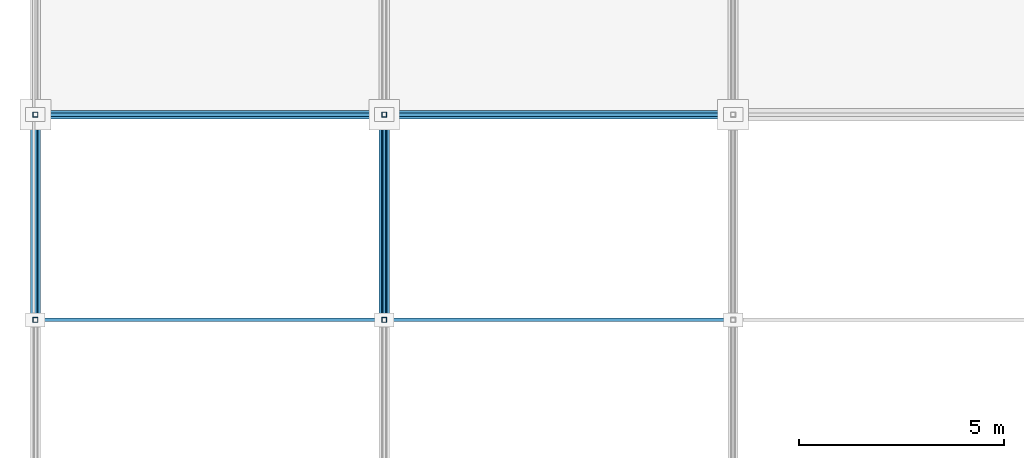
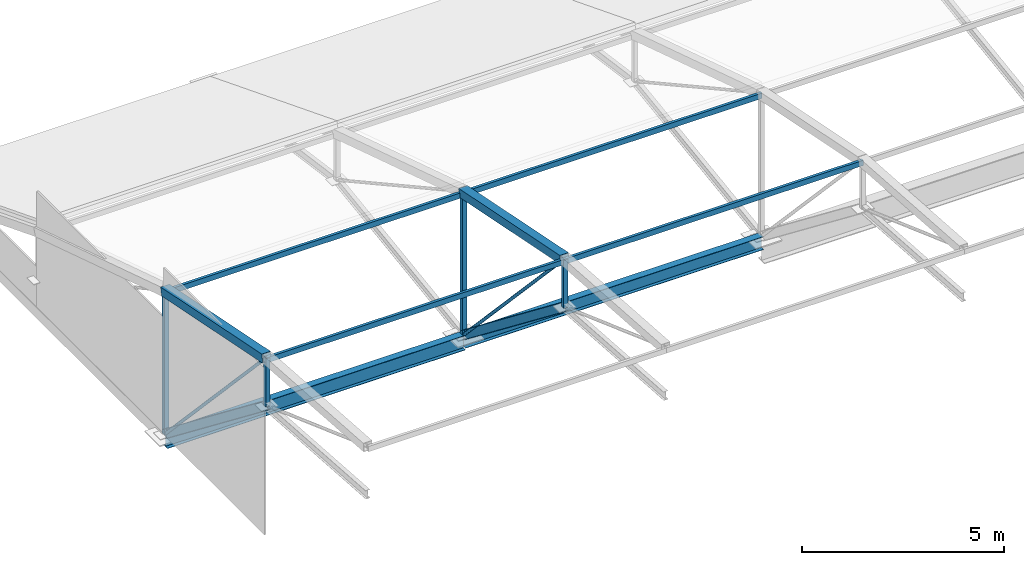
# One storey, part 31 of 66: 14 members, 2 beams.
"""IFC4 building model written with IfcOpenShell, lengths in metres."""

from ifc_helpers import new_model, si_unit, direction, frame, origin, origin_2d, place, context, subcontext, project, spatial, hollow_rectangle, hollow_circle, i_section, extrude, material, material_profile, profile_set, type_object, element, save


model = new_model("IFC4")

# Units and contexts
model_context = context("Model", 3, precision=1e-05, world=origin(), true_north=direction((0.0, 1.0)))
body_context = subcontext(model_context, "Body", "Model", "MODEL_VIEW")
ifc_project = project(units=[si_unit("LENGTHUNIT", "METRE"), si_unit("AREAUNIT", "SQUARE_METRE"), si_unit("VOLUMEUNIT", "CUBIC_METRE"), si_unit("PLANEANGLEUNIT", "RADIAN"), si_unit("MASSUNIT", "GRAM", prefix="KILO")], contexts=[model_context])

# Site, building, storey
site_placement = place(None, origin())
site = spatial("IfcSite", under=ifc_project, at=site_placement, CompositionType="ELEMENT")
building_placement = place(site_placement, origin())
building = spatial("IfcBuilding", under=site, at=building_placement, Name="Solvikara Media Centre", CompositionType="ELEMENT")
storey_placement = place(building_placement, frame((0.0, 0.0, 19.800048828125)))
storey = spatial("IfcBuildingStorey", under=building, at=storey_placement, Name="L04", CompositionType="ELEMENT", Elevation=19.800048828125)

# Beams
ifc_material = material(Name="Steel S355JR", Category="steel")
ifc_material_profile_1 = material_profile(ifc_material, i_section(OverallWidth=0.198974609375, OverallDepth=0.446044921875, WebThickness=0.008056640625, FlangeThickness=0.011962890625, at=origin_2d()), Name="H 446x199x8x12")
ifc_profile_set_1 = profile_set([ifc_material_profile_1], Name="Steel S355JR")
beam_type_1 = type_object("IfcBeamType", Name="BM-43", PredefinedType="BEAM", material=ifc_profile_set_1)
beam_1_placement = place(storey_placement, frame((0.0, 101.5, -0.322998046875), z_axis=(1.0, 0.0, 0.0), x_axis=(0.0, 1.0, 0.0)))
element("IfcBeam", 1, at=beam_1_placement, inside=storey, type_object=beam_type_1, Name="B-L04-X1483", PredefinedType="BEAM", context=body_context, shape_type="SweptSolid", body=[
    extrude(i_section(OverallWidth=0.198974609375, OverallDepth=0.446044921875, WebThickness=0.008056640625, FlangeThickness=0.011962890625, at=origin_2d()), origin(), (0.0, 0.0, 1.0), 8.5),
])
ifc_material_profile_2 = material_profile(ifc_material, i_section(OverallWidth=0.198974609375, OverallDepth=0.39599609375, WebThickness=0.007080078125, FlangeThickness=0.010986328125, at=origin_2d()), Name="H 396x199x7x11")
ifc_profile_set_2 = profile_set([ifc_material_profile_2], Name="Steel S355JR")
beam_type_2 = type_object("IfcBeamType", Name="BM-44", PredefinedType="BEAM", material=ifc_profile_set_2)
beam_2_placement = place(storey_placement, frame((8.5, 101.5, -0.298095703125), z_axis=(1.0, 0.0, 0.0), x_axis=(0.0, 1.0, 0.0)))
element("IfcBeam", 2, at=beam_2_placement, inside=storey, type_object=beam_type_2, Name="B-L04-X1484", PredefinedType="BEAM", context=body_context, shape_type="SweptSolid", body=[
    extrude(i_section(OverallWidth=0.198974609375, OverallDepth=0.39599609375, WebThickness=0.007080078125, FlangeThickness=0.010986328125, at=origin_2d()), origin(), (0.0, 0.0, 1.0), 8.5),
])

# Members
ifc_material_profile_3 = material_profile(ifc_material, hollow_circle(Radius=0.04443359375, WallThickness=0.0048828125, at=origin_2d()), Name="CHS 88.9x5")
ifc_profile_set_3 = profile_set([ifc_material_profile_3], Name="Steel S355JR")
member_type_1 = type_object("IfcMemberType", Name="MB-10", PredefinedType="BRACE", material=ifc_profile_set_3)
for number, where, z_axis, x_axis, name in (
    (3, (0.0, 101.5, -0.150146484375), (0.0, -0.68381339208, 0.729656936383), (1.0, 0.0, 0.0), "AM-DG-00-02"),
    (4, (8.5, 101.5, -0.150146484375), (0.0, -0.68381339208, 0.729656936383), (1.0, 0.0, 0.0), "AM-DG-01-02"),
):
    element("IfcMember", number, at=place(storey_placement, frame(where, z_axis=z_axis, x_axis=x_axis)), inside=storey, type_object=member_type_1, Name=name, PredefinedType="BRACE", context=body_context, shape_type="SweptSolid", body=[
        extrude(hollow_circle(Radius=0.04443359375, WallThickness=0.0048828125, at=origin_2d()), origin(), (0.0, 0.0, 1.0), 7.31201171875),
    ])
ifc_material_profile_4 = material_profile(ifc_material, hollow_rectangle(XDim=0.25, YDim=0.25, WallThickness=0.010009765625, at=origin_2d()), Name="RHS 250x250x10")
ifc_profile_set_4 = profile_set([ifc_material_profile_4], Name="Steel S355JR")
member_type_2 = type_object("IfcMemberType", Name="MB-12", PredefinedType="CHORD", material=ifc_profile_set_4)
for number, where, z_axis, x_axis, name in (
    (5, (0.0, 101.5, 4.177978515625), (0.0, -0.980312817606, 0.197450701788), (1.0, 0.0, 0.0), "AM-TC-00-02"),
    (6, (8.5, 101.5, 4.177978515625), (0.0, -0.980312817606, 0.197450701788), (1.0, 0.0, 0.0), "AM-TC-01-02"),
):
    element("IfcMember", number, at=place(storey_placement, frame(where, z_axis=z_axis, x_axis=x_axis)), inside=storey, type_object=member_type_2, Name=name, PredefinedType="CHORD", context=body_context, shape_type="SweptSolid", body=[
        extrude(hollow_rectangle(XDim=0.25, YDim=0.25, WallThickness=0.010009765625, at=origin_2d()), origin(), (0.0, 0.0, 1.0), 5.100341796875),
    ])
ifc_material_profile_5 = material_profile(ifc_material, hollow_rectangle(XDim=0.080078125, YDim=0.159912109375, WallThickness=0.0048828125, at=origin_2d()), Name="RHS 160x80x5")
ifc_profile_set_5 = profile_set([ifc_material_profile_5], Name="Steel S355JR")
member_type_3 = type_object("IfcMemberType", Name="MB-19", PredefinedType="PURLIN", material=ifc_profile_set_5)
for number, where, z_axis, x_axis, name in (
    (7, (0.0, 101.5, 4.113037109375), (1.0, 0.0, 0.0), (0.0, 1.0, 0.0), "AM-PRL-00-02"),
    (8, (0.0, 96.5, 5.119873046875), (1.0, 0.0, 0.0), (0.0, 1.0, 0.0), "AM-PRL-00-03"),
    (9, (8.5, 101.5, 4.113037109375), (1.0, 0.0, 0.0), (0.0, 1.0, 0.0), "AM-PRL-01-02"),
    (10, (8.5, 96.5, 5.119873046875), (1.0, 0.0, 0.0), (0.0, 1.0, 0.0), "AM-PRL-01-03"),
):
    element("IfcMember", number, at=place(storey_placement, frame(where, z_axis=z_axis, x_axis=x_axis)), inside=storey, type_object=member_type_3, Name=name, PredefinedType="PURLIN", context=body_context, shape_type="SweptSolid", body=[
        extrude(hollow_rectangle(XDim=0.080078125, YDim=0.159912109375, WallThickness=0.0048828125, at=origin_2d()), origin(), (0.0, 0.0, 1.0), 8.5),
    ])
ifc_material_profile_6 = material_profile(ifc_material, i_section(OverallWidth=0.1240234375, OverallDepth=0.248046875, WebThickness=0.0048828125, FlangeThickness=0.008056640625, at=origin_2d()), Name="WF 248x124x5x8")
ifc_profile_set_6 = profile_set([ifc_material_profile_6], Name="Steel S355JR")
member_type_4 = type_object("IfcMemberType", Name="MB-23", PredefinedType="STRINGER", material=ifc_profile_set_6)
for number, where, z_axis, x_axis, name in (
    (11, (0.0, 101.5, -0.150146484375), (0.0, -0.789649014603, 0.61355882663), (1.0, 0.0, 0.0), "AM-BC-00-02"),
    (12, (8.5, 101.5, -0.150146484375), (0.0, -0.789649014603, 0.61355882663), (1.0, 0.0, 0.0), "AM-BC-01-02"),
):
    element("IfcMember", number, at=place(storey_placement, frame(where, z_axis=z_axis, x_axis=x_axis)), inside=storey, type_object=member_type_4, Name=name, PredefinedType="STRINGER", context=body_context, shape_type="SweptSolid", body=[
        extrude(i_section(OverallWidth=0.1240234375, OverallDepth=0.248046875, WebThickness=0.0048828125, FlangeThickness=0.008056640625, at=origin_2d()), origin(), (0.0, 0.0, 1.0), 6.33203125),
    ])
ifc_material_profile_7 = material_profile(ifc_material, hollow_rectangle(XDim=0.1201171875, YDim=0.1201171875, WallThickness=0.006103515625, at=origin_2d()), Name="RHS 120x120x6")
ifc_profile_set_7 = profile_set([ifc_material_profile_7], Name="Steel S355JR")
member_type_5 = type_object("IfcMemberType", Name="MB-24", PredefinedType="POST", material=ifc_profile_set_7)
member_1_placement = place(storey_placement, frame((0.0, 101.5, -0.150146484375), z_axis=(0.0, 0.0, 1.0), x_axis=(1.0, 0.0, 0.0)))
element("IfcMember", 13, at=member_1_placement, inside=storey, type_object=member_type_5, Name="AM-VT-00-02", PredefinedType="POST", context=body_context, shape_type="SweptSolid", body=[
    extrude(hollow_rectangle(XDim=0.1201171875, YDim=0.1201171875, WallThickness=0.006103515625, at=origin_2d()), origin(), (0.0, 0.0, 1.0), 4.328125),
])
member_2_placement = place(storey_placement, frame((0.0, 96.5, 3.73486328125), z_axis=(0.0, 0.0, 1.0), x_axis=(1.0, 0.0, 0.0)))
element("IfcMember", 14, at=member_2_placement, inside=storey, type_object=member_type_5, Name="AM-VT-00-03", PredefinedType="POST", context=body_context, shape_type="SweptSolid", body=[
    extrude(hollow_rectangle(XDim=0.1201171875, YDim=0.1201171875, WallThickness=0.006103515625, at=origin_2d()), origin(), (0.0, 0.0, 1.0), 1.4501953125),
])
member_3_placement = place(storey_placement, frame((8.5, 101.5, -0.150146484375), z_axis=(0.0, 0.0, 1.0), x_axis=(1.0, 0.0, 0.0)))
element("IfcMember", 15, at=member_3_placement, inside=storey, type_object=member_type_5, Name="AM-VT-01-02", PredefinedType="POST", context=body_context, shape_type="SweptSolid", body=[
    extrude(hollow_rectangle(XDim=0.1201171875, YDim=0.1201171875, WallThickness=0.006103515625, at=origin_2d()), origin(), (0.0, 0.0, 1.0), 4.328125),
])
member_4_placement = place(storey_placement, frame((8.5, 96.5, 3.73486328125), z_axis=(0.0, 0.0, 1.0), x_axis=(1.0, 0.0, 0.0)))
element("IfcMember", 16, at=member_4_placement, inside=storey, type_object=member_type_5, Name="AM-VT-01-03", PredefinedType="POST", context=body_context, shape_type="SweptSolid", body=[
    extrude(hollow_rectangle(XDim=0.1201171875, YDim=0.1201171875, WallThickness=0.006103515625, at=origin_2d()), origin(), (0.0, 0.0, 1.0), 1.4501953125),
])

save(model, "model.ifc")
